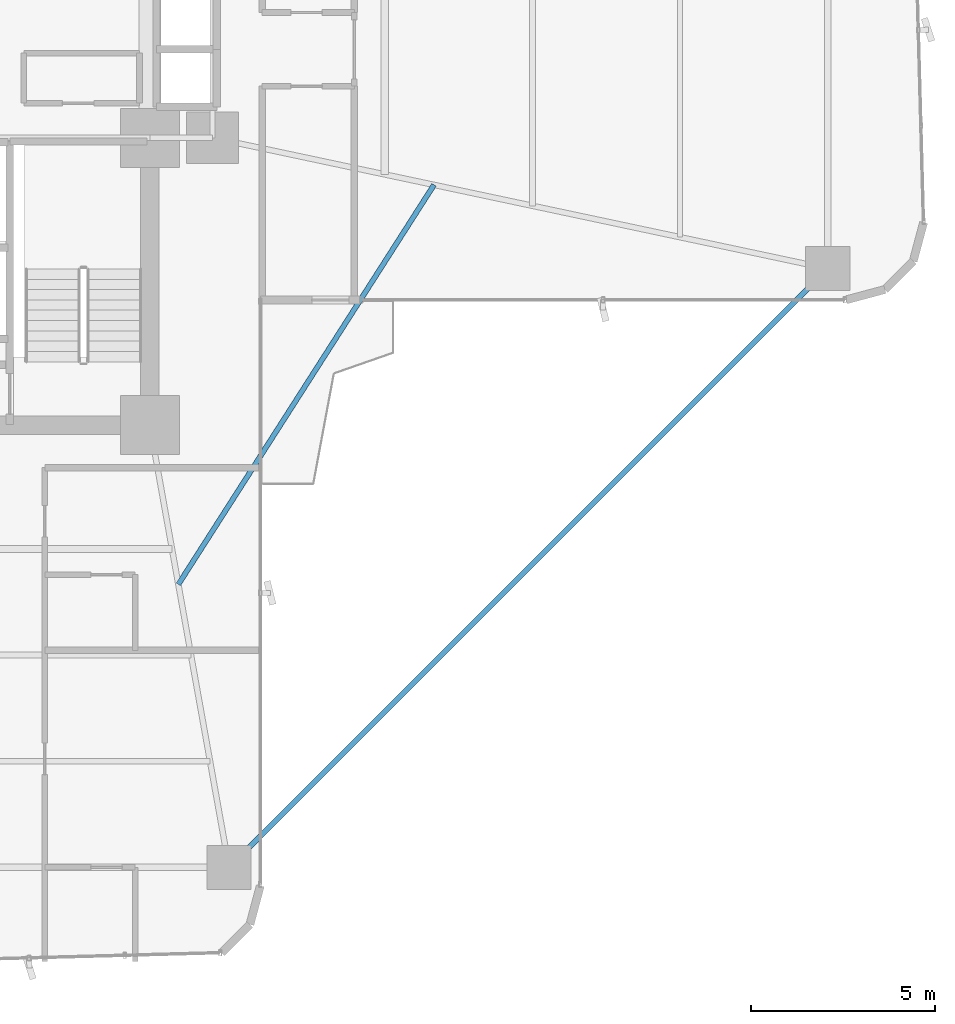
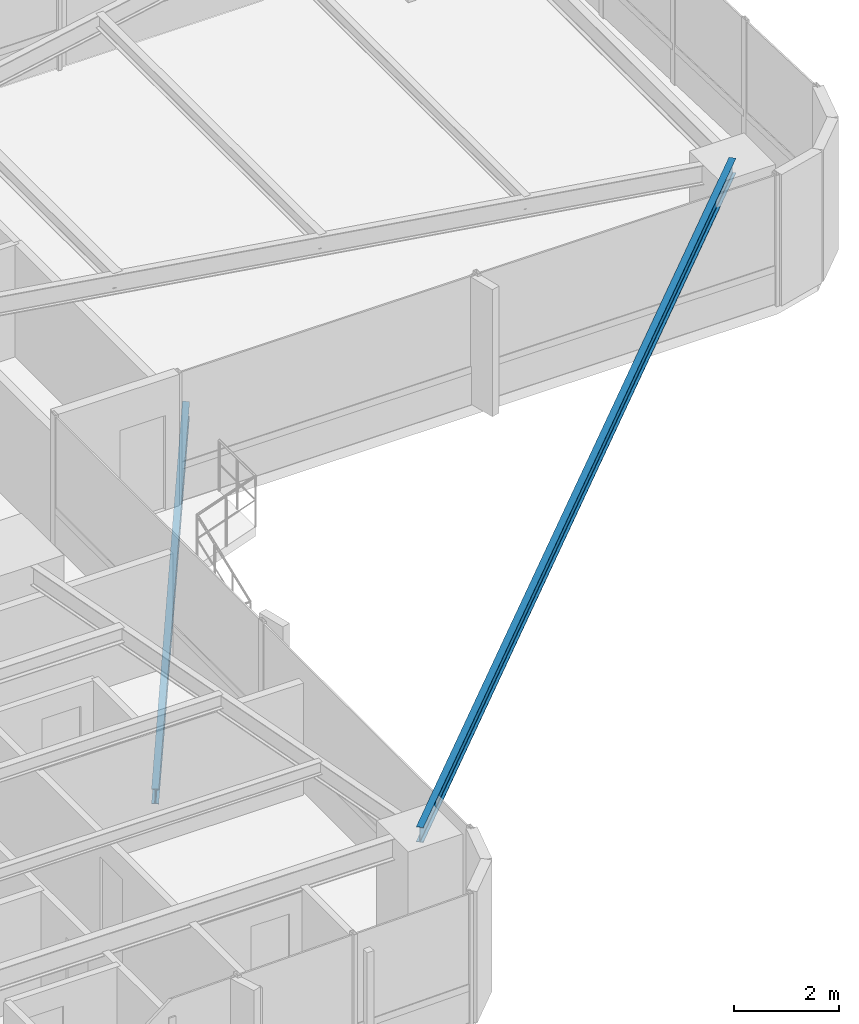
# One storey, part 13 of 26: 2 beams.
"""IFC4 building model written with IfcOpenShell, lengths in metres."""

from ifc_helpers import new_model, si_unit, direction, frame, origin, origin_2d, place, context, subcontext, project, spatial, i_section, extrude, source, transform, mapped, material, material_profile, profile_set, type_object, element, save


model = new_model("IFC4")

# Units and contexts
model_context = context("Model", 3, precision=1e-05, world=origin(), true_north=direction((0.0, 1.0)))
body_context = subcontext(model_context, "Body", "Model", "MODEL_VIEW")
ifc_project = project(units=[si_unit("LENGTHUNIT", "METRE"), si_unit("AREAUNIT", "SQUARE_METRE"), si_unit("VOLUMEUNIT", "CUBIC_METRE"), si_unit("PLANEANGLEUNIT", "RADIAN"), si_unit("MASSUNIT", "GRAM", prefix="KILO")], contexts=[model_context])

# Site, building, storey
site_placement = place(None, origin())
site = spatial("IfcSite", under=ifc_project, at=site_placement, CompositionType="ELEMENT")
building_placement = place(site_placement, origin())
building = spatial("IfcBuilding", under=site, at=building_placement, Name="Sahyath Konkavel Grand Hotel", CompositionType="ELEMENT")
storey_placement = place(building_placement, frame((0.0, 0.0, 43.199951171875)))
storey = spatial("IfcBuildingStorey", under=building, at=storey_placement, Name="L11", CompositionType="ELEMENT", Elevation=43.199951171875)

# Beams
ifc_material = material(Name="Steel E350", Category="steel")
ifc_material_profile_1 = material_profile(ifc_material, i_section(OverallWidth=0.139892578125, OverallDepth=0.35009765625, WebThickness=0.008056640625, FlangeThickness=0.01416015625, FilletRadius=0.013916015625, at=origin_2d()), Name="ISMB 350")
ifc_profile_set_1 = profile_set([ifc_material_profile_1], Name="Steel E350")
beam_type_1 = type_object("IfcBeamType", Name="BM-ISMB350", PredefinedType="BEAM", material=ifc_profile_set_1)
shared_shape_1 = source(origin(), body_context, "Body", "SweptSolid", [
    extrude(i_section(OverallWidth=0.139892578125, OverallDepth=0.35009765625, WebThickness=0.008056640625, FlangeThickness=0.01416015625, FilletRadius=0.013916015625, at=origin_2d()), origin(), (0.0, 0.0, 1.0), 22.98095703125),
])
beam_1_placement = place(storey_placement, frame((22.199951171875, -5.949951171875, 2.875), z_axis=(-0.707106781187, -0.707106781187, 0.0), x_axis=(0.707106781187, -0.707106781187, 0.0)))
element("IfcBeam", 1, at=beam_1_placement, inside=storey, type_object=beam_type_1, Name="L11 Re-Entrant Tie Beam SE", PredefinedType="BEAM", context=body_context, shape_type="MappedRepresentation", body=[
    mapped(shared_shape_1, transform((0.0, 0.0, 0.0), scale=1.0)),
])
ifc_material_profile_2 = material_profile(ifc_material, i_section(OverallWidth=0.139892578125, OverallDepth=0.35009765625, WebThickness=0.008056640625, FlangeThickness=0.01416015625, FilletRadius=0.013916015625, at=origin_2d()), Name="ISMB 350")
ifc_profile_set_2 = profile_set([ifc_material_profile_2], Name="Steel E350")
beam_type_2 = type_object("IfcBeamType", Name="BM-BALC-CANT", PredefinedType="BEAM", material=ifc_profile_set_2)
shared_shape_2 = source(origin(), body_context, "Body", "SweptSolid", [
    extrude(i_section(OverallWidth=0.139892578125, OverallDepth=0.35009765625, WebThickness=0.008056640625, FlangeThickness=0.01416015625, FilletRadius=0.013916015625, at=origin_2d()), origin(), (0.0, 0.0, 1.0), 12.871826171875),
])
beam_2_placement = place(storey_placement, frame((4.573974609375, -14.52001953125, -0.4150390625), z_axis=(0.539003102535, 0.842303778608, 0.0), x_axis=(-0.842303778608, 0.539003102535, 0.0)))
element("IfcBeam", 2, at=beam_2_placement, inside=storey, type_object=beam_type_2, Name="L11 Balcony Cantilever Support Beam SE", PredefinedType="BEAM", context=body_context, shape_type="MappedRepresentation", body=[
    mapped(shared_shape_2, transform((0.0, 0.0, 0.0), scale=1.0)),
])

save(model, "model.ifc")
